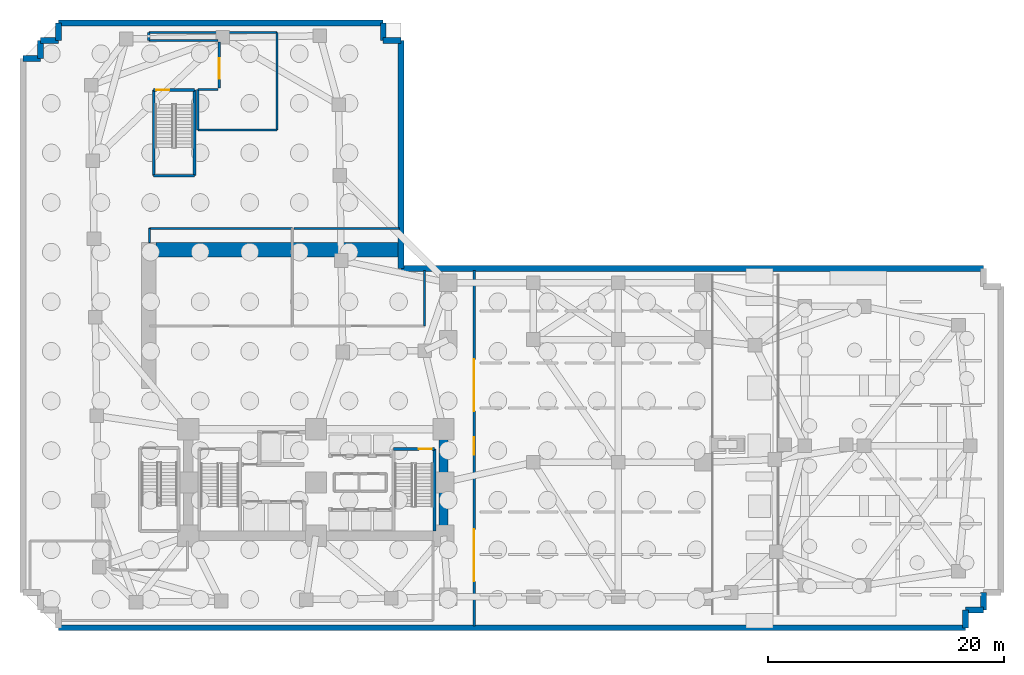
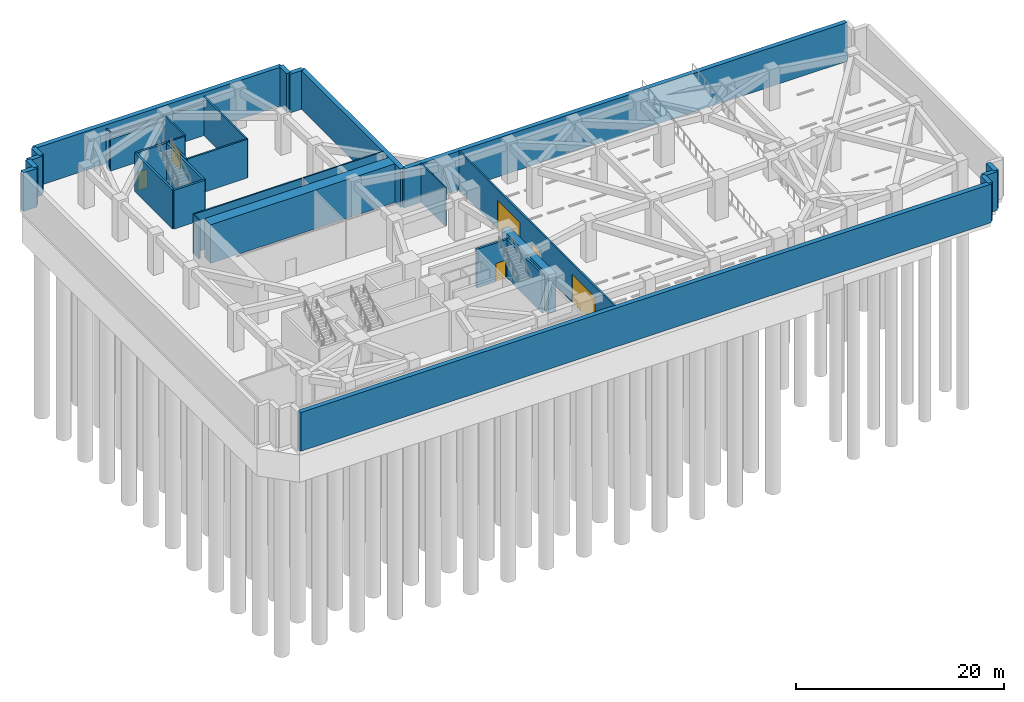
# One storey, part 6 of 11: 34 walls, 6 doors, 6 openings.
"""IFC4 building model written with IfcOpenShell, lengths in metres."""

from ifc_helpers import new_model, si_unit, direction, frame, frame_2d, origin, place, context, subcontext, project, spatial, rectangle, extrude, material, layer, layer_set, type_object, element, fill, save


model = new_model("IFC4")

# Units and contexts
model_context = context("Model", 3, precision=1e-05, world=origin(), true_north=direction((0.0, 1.0)))
body_context = subcontext(model_context, "Body", "Model", "MODEL_VIEW")
ifc_project = project(units=[si_unit("LENGTHUNIT", "METRE"), si_unit("AREAUNIT", "SQUARE_METRE"), si_unit("VOLUMEUNIT", "CUBIC_METRE"), si_unit("PLANEANGLEUNIT", "RADIAN"), si_unit("MASSUNIT", "GRAM", prefix="KILO")], contexts=[model_context])

# Site, building, storey
site_placement = place(None, origin())
site = spatial("IfcSite", under=ifc_project, at=site_placement, CompositionType="ELEMENT")
building_placement = place(site_placement, origin())
building = spatial("IfcBuilding", under=site, at=building_placement, Name="Gaonmaruhae Medical Tower", CompositionType="ELEMENT")
storey_placement = place(building_placement, frame((0.0, 0.0, -9.60009765625)))
storey = spatial("IfcBuildingStorey", under=building, at=storey_placement, Name="B02", CompositionType="ELEMENT", Elevation=-9.60009765625)

# Walls
ifc_material_1 = material(Name="Concrete C60/75", Category="concrete")
ifc_layer_1 = layer(ifc_material_1, 0.800048828125)
ifc_layer_set_1 = layer_set([ifc_layer_1], Name="Concrete C60/75")
wall_type_1 = type_object("IfcWallType", Name="CW-800 Lower Core Shear Wall", PredefinedType="SHEAR", material=ifc_layer_set_1)
wall_1_placement = place(storey_placement, frame((35.60009765625, 7.800048828125, 0.0), z_axis=(0.0, 0.0, 1.0), x_axis=(0.0, 1.0, 0.0)))
element("IfcWall", 1, at=wall_1_placement, inside=storey, type_object=wall_type_1, Name="B02 Core Shear Wall CSW-E1", PredefinedType="SHEAR", context=body_context, shape_type="SweptSolid", body=[
    extrude(rectangle(XDim=9.0, YDim=0.800048828125, at=frame_2d((4.5, 0.0))), origin(), (0.0, 0.0, 1.0), 4.550048828125),
])
ifc_material_2 = material(Name="Gypsum board partition", Category="gypsum")
ifc_layer_2 = layer(ifc_material_2, 0.14990234375)
ifc_layer_set_2 = layer_set([ifc_layer_2], Name="Gypsum board partition")
wall_type_2 = type_object("IfcWallType", Name="PW-150 Rated Clinical Corridor Partition", PredefinedType="PARTITIONING", material=ifc_layer_set_2)
wall_2_placement = place(storey_placement, frame((10.719970703125, 32.60009765625, 0.0), z_axis=(0.0, 0.0, 1.0), x_axis=(0.0, 1.0, 0.0)))
element("IfcWall", 2, at=wall_2_placement, inside=storey, type_object=wall_type_2, Name="B02 Interior Partition B02-VLT1-10", PredefinedType="PARTITIONING", context=body_context, shape_type="SweptSolid", body=[
    extrude(rectangle(XDim=1.199951171875, YDim=0.14990234375, at=frame_2d((0.60009765625, 0.0))), origin(), (0.0, 0.0, 1.0), 4.550048828125),
])
wall_3_placement = place(storey_placement, frame((10.719970703125, 33.800048828125, 0.0), z_axis=(0.0, 0.0, 1.0), x_axis=(1.0, 0.0, 0.0)))
element("IfcWall", 3, at=wall_3_placement, inside=storey, type_object=wall_type_2, Name="B02 Interior Partition B02-VLT1-11", PredefinedType="PARTITIONING", context=body_context, shape_type="SweptSolid", body=[
    extrude(rectangle(XDim=12.080078125, YDim=0.14990234375, at=frame_2d((6.0400390625, 0.0))), origin(), (0.0, 0.0, 1.0), 4.550048828125),
])
wall_4_placement = place(storey_placement, frame((34.0, 30.239990234375, 0.0), z_axis=(0.0, 0.0, 1.0), x_axis=(0.0, -1.0, 0.0)))
element("IfcWall", 4, at=wall_4_placement, inside=storey, type_object=wall_type_2, Name="B02 Interior Partition B02-VLT2-12", PredefinedType="PARTITIONING", context=body_context, shape_type="SweptSolid", body=[
    extrude(rectangle(XDim=4.68994140625, YDim=0.14990234375, at=frame_2d((2.344970703125, 0.0))), origin(), (0.0, 0.0, 1.0), 4.550048828125),
])
wall_5_placement = place(storey_placement, frame((22.949951171875, 33.800048828125, 0.0), z_axis=(0.0, 0.0, 1.0), x_axis=(1.0, 0.0, 0.0)))
element("IfcWall", 5, at=wall_5_placement, inside=storey, type_object=wall_type_2, Name="B02 Interior Partition B02-VLT2-14", PredefinedType="PARTITIONING", context=body_context, shape_type="SweptSolid", body=[
    extrude(rectangle(XDim=8.89013671875, YDim=0.14990234375, at=frame_2d((4.445068359375, 0.0))), origin(), (0.0, 0.0, 1.0), 4.550048828125),
])

# Wall, openings, doors
ifc_layer_3 = layer(ifc_material_2, 0.179931640625)
ifc_layer_set_3 = layer_set([ifc_layer_3], Name="Gypsum board partition")
wall_type_3 = type_object("IfcWallType", Name="PW-180 Refuge & Plant Acoustic Fire Partition", PredefinedType="PARTITIONING", material=ifc_layer_set_3)
wall_6_placement = place(storey_placement, frame((38.199951171875, 0.159912109375, 0.0), z_axis=(0.0, 0.0, 1.0), x_axis=(0.0, 1.0, 0.0)))
wall_6 = element("IfcWall", 6, at=wall_6_placement, inside=storey, type_object=wall_type_3, Name="B02 Car Park Fire Compartment Wall", PredefinedType="PARTITIONING", context=body_context, shape_type="SweptSolid", body=[
    extrude(rectangle(XDim=30.080078125, YDim=0.179931640625, at=frame_2d((15.0400390625, 0.0))), origin(), (0.0, 0.0, 1.0), 4.550048828125),
])
opening_1_placement = place(wall_6_placement, frame((18.169921875, 0.0, 0.0)))
opening_1 = element("IfcOpeningElement", 7, at=opening_1_placement, cuts=wall_6, Name="Opening GT-03", PredefinedType="OPENING", context=body_context, shape_type="SweptSolid", body=[
    extrude(rectangle(XDim=4.39990234375, YDim=3.300048828125, at=frame_2d((2.199951171875, 1.64990234375))), frame((0.0, 0.10009765625, 0.0), z_axis=(0.0, -1.0, 0.0), x_axis=(1.0, 0.0, 0.0)), (0.0, 0.0, 1.0), 0.199951171875),
])
opening_2_placement = place(wall_6_placement, frame((14.469970703125, 0.0, 0.0)))
opening_2 = element("IfcOpeningElement", 8, at=opening_2_placement, cuts=wall_6, Name="Opening FD-03", PredefinedType="OPENING", context=body_context, shape_type="SweptSolid", body=[
    extrude(rectangle(XDim=1.5, YDim=2.199951171875, at=frame_2d((0.75, 1.10009765625))), frame((0.0, 0.10009765625, 0.0), z_axis=(0.0, -1.0, 0.0), x_axis=(1.0, 0.0, 0.0)), (0.0, 0.0, 1.0), 0.199951171875),
])
opening_3_placement = place(wall_6_placement, frame((3.77001953125, 0.0, 0.0)))
opening_3 = element("IfcOpeningElement", 9, at=opening_3_placement, cuts=wall_6, Name="Opening GT-03", PredefinedType="OPENING", context=body_context, shape_type="SweptSolid", body=[
    extrude(rectangle(XDim=4.39990234375, YDim=3.300048828125, at=frame_2d((2.199951171875, 1.64990234375))), frame((0.0, 0.10009765625, 0.0), z_axis=(0.0, -1.0, 0.0), x_axis=(1.0, 0.0, 0.0)), (0.0, 0.0, 1.0), 0.199951171875),
])
ifc_material_3 = material(Name="Powder-coated steel fire door", Category="steel")
door_type_1 = type_object("IfcDoorType", Name="FD-03 Compartment Corridor Double Fire Door 1500x2200", OperationType="NOTDEFINED", PredefinedType="DOOR", material=ifc_material_3)
door_1_placement = place(opening_2_placement, origin())
door_1 = element("IfcDoor", 10, at=door_1_placement, inside=storey, type_object=door_type_1, Name="B02 Car Park Pedestrian Exit Door", OperationType="DOUBLE_DOOR_SINGLE_SWING", OverallHeight=2.199951171875, OverallWidth=1.5, PredefinedType="DOOR", context=body_context, shape_type="SweptSolid", body=[
    extrude(rectangle(XDim=1.5, YDim=2.199951171875, at=frame_2d((0.75, 1.10009765625))), frame((0.0, 0.02490234375, 0.0), z_axis=(0.0, -1.0, 0.0), x_axis=(1.0, 0.0, 0.0)), (0.0, 0.0, 1.0), 0.050048828125),
])
fill(opening_2, door_1)
ifc_material_4 = material(Name="Insulated galvanised steel shutter", Category="steel")
door_type_2 = type_object("IfcDoorType", Name="GT-03 Basement Car Park Fire Shutter Gate 4400x3300", OperationType="NOTDEFINED", PredefinedType="GATE", material=ifc_material_4)
door_2_placement = place(opening_1_placement, origin())
door_2 = element("IfcDoor", 11, at=door_2_placement, inside=storey, type_object=door_type_2, Name="B02 Car Park Fire Compartment Roller Gate", OperationType="ROLLINGUP", OverallHeight=3.300048828125, OverallWidth=4.39990234375, PredefinedType="GATE", context=body_context, shape_type="SweptSolid", body=[
    extrude(rectangle(XDim=4.39990234375, YDim=3.300048828125, at=frame_2d((2.199951171875, 1.64990234375))), frame((0.0, 0.02490234375, 0.0), z_axis=(0.0, -1.0, 0.0), x_axis=(1.0, 0.0, 0.0)), (0.0, 0.0, 1.0), 0.050048828125),
])
fill(opening_1, door_2)
door_3_placement = place(opening_3_placement, origin())
door_3 = element("IfcDoor", 12, at=door_3_placement, inside=storey, type_object=door_type_2, Name="B02 South Car Park Fire Shutter Gate", OperationType="ROLLINGUP", OverallHeight=3.300048828125, OverallWidth=4.39990234375, PredefinedType="GATE", context=body_context, shape_type="SweptSolid", body=[
    extrude(rectangle(XDim=4.39990234375, YDim=3.300048828125, at=frame_2d((2.199951171875, 1.64990234375))), frame((0.0, 0.02490234375, 0.0), z_axis=(0.0, -1.0, 0.0), x_axis=(1.0, 0.0, 0.0)), (0.0, 0.0, 1.0), 0.050048828125),
])
fill(opening_3, door_3)

# Wall, opening, door
wall_7_placement = place(storey_placement, frame((16.6201171875, 45.679931640625, 0.0), z_axis=(0.0, 0.0, 1.0), x_axis=(0.0, 1.0, 0.0)))
wall_7 = element("IfcWall", 13, at=wall_7_placement, inside=storey, type_object=wall_type_3, Name="B02 Interior Partition B02-MGAS-15", PredefinedType="PARTITIONING", context=body_context, shape_type="SweptSolid", body=[
    extrude(rectangle(XDim=3.920166015625, YDim=0.179931640625, at=frame_2d((1.9599609375, 0.0))), origin(), (0.0, 0.0, 1.0), 4.550048828125),
])
opening_4_placement = place(wall_7_placement, frame((0.795166015625, 0.0, 0.0)))
opening_4 = element("IfcOpeningElement", 14, at=opening_4_placement, cuts=wall_7, Name="Opening PD-01", PredefinedType="OPENING", context=body_context, shape_type="SweptSolid", body=[
    extrude(rectangle(XDim=1.75, YDim=2.199951171875, at=frame_2d((0.875, 1.10009765625))), frame((0.0, 0.10009765625, 0.0), z_axis=(0.0, -1.0, 0.0), x_axis=(1.0, 0.0, 0.0)), (0.0, 0.0, 1.0), 0.199951171875),
])
ifc_material_5 = material(Name="Acoustic galvanised steel plant door", Category="steel")
door_type_3 = type_object("IfcDoorType", Name="PD-01 Mechanical Plant Double Equipment Door 1750x2200", OperationType="NOTDEFINED", PredefinedType="DOOR", material=ifc_material_5)
door_4_placement = place(opening_4_placement, origin())
door_4 = element("IfcDoor", 15, at=door_4_placement, inside=storey, type_object=door_type_3, Name="B02 Medical Gas Manifold and Vacuum Plant Room Door", OperationType="DOUBLE_DOOR_SINGLE_SWING", OverallHeight=2.199951171875, OverallWidth=1.75, PredefinedType="DOOR", context=body_context, shape_type="SweptSolid", body=[
    extrude(rectangle(XDim=1.75, YDim=2.199951171875, at=frame_2d((0.875, 1.10009765625))), frame((0.0, 0.02490234375, 0.0), z_axis=(0.0, -1.0, 0.0), x_axis=(1.0, 0.0, 0.0)), (0.0, 0.0, 1.0), 0.050048828125),
])
fill(opening_4, door_4)

# Walls
wall_8_placement = place(storey_placement, frame((16.5, 49.719970703125, 0.0), z_axis=(0.0, 0.0, 1.0), x_axis=(-1.0, 0.0, 0.0)))
element("IfcWall", 16, at=wall_8_placement, inside=storey, type_object=wall_type_3, Name="B02 Interior Partition B02-MGAS-16", PredefinedType="PARTITIONING", context=body_context, shape_type="SweptSolid", body=[
    extrude(rectangle(XDim=5.85009765625, YDim=0.179931640625, at=frame_2d((2.925048828125, 0.0))), origin(), (0.0, 0.0, 1.0), 3.735107421875),
])
wall_9_placement = place(storey_placement, frame((10.64990234375, 49.719970703125, 0.0), z_axis=(0.0, 0.0, 1.0), x_axis=(0.0, 1.0, 0.0)))
element("IfcWall", 17, at=wall_9_placement, inside=storey, type_object=wall_type_3, Name="B02 Interior Partition B02-MGAS-17", PredefinedType="PARTITIONING", context=body_context, shape_type="SweptSolid", body=[
    extrude(rectangle(XDim=0.679931640625, YDim=0.179931640625, at=frame_2d((0.33984375, 0.0))), origin(), (0.0, 0.0, 1.0), 4.550048828125),
])
wall_10_placement = place(storey_placement, frame((10.64990234375, 50.39990234375, 0.0), z_axis=(0.0, 0.0, 1.0), x_axis=(1.0, 0.0, 0.0)))
element("IfcWall", 18, at=wall_10_placement, inside=storey, type_object=wall_type_3, Name="B02 Interior Partition B02-MGAS-18", PredefinedType="PARTITIONING", context=body_context, shape_type="SweptSolid", body=[
    extrude(rectangle(XDim=10.85009765625, YDim=0.179931640625, at=frame_2d((5.425048828125, 0.0))), origin(), (0.0, 0.0, 1.0), 3.735107421875),
])
wall_11_placement = place(storey_placement, frame((21.5, 50.39990234375, 0.0), z_axis=(0.0, 0.0, 1.0), x_axis=(0.0, -1.0, 0.0)))
element("IfcWall", 19, at=wall_11_placement, inside=storey, type_object=wall_type_3, Name="B02 Interior Partition B02-MGAS-19", PredefinedType="PARTITIONING", context=body_context, shape_type="SweptSolid", body=[
    extrude(rectangle(XDim=8.25, YDim=0.179931640625, at=frame_2d((4.125, 0.0))), origin(), (0.0, 0.0, 1.0), 4.550048828125),
])
wall_12_placement = place(storey_placement, frame((21.5, 42.14990234375, 0.0), z_axis=(0.0, 0.0, 1.0), x_axis=(-1.0, 0.0, 0.0)))
element("IfcWall", 20, at=wall_12_placement, inside=storey, type_object=wall_type_3, Name="B02 Interior Partition B02-MGAS-20", PredefinedType="PARTITIONING", context=body_context, shape_type="SweptSolid", body=[
    extrude(rectangle(XDim=6.699951171875, YDim=0.179931640625, at=frame_2d((3.35009765625, 0.0))), origin(), (0.0, 0.0, 1.0), 4.550048828125),
])
wall_13_placement = place(storey_placement, frame((14.800048828125, 42.14990234375, 0.0), z_axis=(0.0, 0.0, 1.0), x_axis=(0.0, 1.0, 0.0)))
element("IfcWall", 21, at=wall_13_placement, inside=storey, type_object=wall_type_3, Name="B02 Interior Partition B02-MGAS-21", PredefinedType="PARTITIONING", context=body_context, shape_type="SweptSolid", body=[
    extrude(rectangle(XDim=3.41015625, YDim=0.179931640625, at=frame_2d((1.705078125, 0.0))), origin(), (0.0, 0.0, 1.0), 4.550048828125),
])
wall_14_placement = place(storey_placement, frame((14.800048828125, 45.56005859375, 0.0), z_axis=(0.0, 0.0, 1.0), x_axis=(1.0, 0.0, 0.0)))
element("IfcWall", 22, at=wall_14_placement, inside=storey, type_object=wall_type_3, Name="B02 Interior Partition B02-MGAS-22", PredefinedType="PARTITIONING", context=body_context, shape_type="SweptSolid", body=[
    extrude(rectangle(XDim=1.699951171875, YDim=0.179931640625, at=frame_2d((0.85009765625, 0.0))), origin(), (0.0, 0.0, 1.0), 4.550048828125),
])
ifc_material_6 = material(Name="Concrete C50/60", Category="concrete")
ifc_layer_4 = layer(ifc_material_6, 0.5)
ifc_layer_set_4 = layer_set([ifc_layer_4], Name="Concrete C50/60")
wall_type_4 = type_object("IfcWallType", Name="RW-500 Basement Perimeter Retaining Wall", PredefinedType="USERDEFINED", material=ifc_layer_set_4)
wall_15_placement = place(storey_placement, frame((79.800048828125, 0.0, 0.0), z_axis=(0.0, 0.0, 1.0), x_axis=(-1.0, 0.0, 0.0)))
element("IfcWall", 23, at=wall_15_placement, inside=storey, type_object=wall_type_4, Name="B02 Perimeter Retaining Wall RW01", ObjectType="RETAININGWALL", PredefinedType="USERDEFINED", context=body_context, shape_type="SweptSolid", body=[
    extrude(rectangle(XDim=76.800048828125, YDim=0.5, at=frame_2d((38.39990234375, 0.0))), origin(), (0.0, 0.0, 1.0), 4.550048828125),
])
for number, where, z_axis, x_axis, name in (
    (24, (79.800048828125, 1.5, 0.0), (0.0, 0.0, 1.0), (0.0, -1.0, 0.0), "B02 Perimeter Retaining Wall RW02"),
    (25, (81.300048828125, 1.5, 0.0), (0.0, 0.0, 1.0), (-1.0, 0.0, 0.0), "B02 Perimeter Retaining Wall RW03"),
    (26, (81.300048828125, 3.0, 0.0), (0.0, 0.0, 1.0), (0.0, -1.0, 0.0), "B02 Perimeter Retaining Wall RW04"),
):
    element("IfcWall", number, at=place(storey_placement, frame(where, z_axis=z_axis, x_axis=x_axis)), inside=storey, type_object=wall_type_4, Name=name, ObjectType="RETAININGWALL", PredefinedType="USERDEFINED", context=body_context, shape_type="SweptSolid", body=[
        extrude(rectangle(XDim=1.5, YDim=0.5, at=frame_2d((0.75, 0.0))), origin(), (0.0, 0.0, 1.0), 4.550048828125),
    ])
wall_16_placement = place(storey_placement, frame((32.0, 30.39990234375, 0.0), z_axis=(0.0, 0.0, 1.0), x_axis=(1.0, 0.0, 0.0)))
element("IfcWall", 27, at=wall_16_placement, inside=storey, type_object=wall_type_4, Name="B02 Perimeter Retaining Wall RW09", ObjectType="RETAININGWALL", PredefinedType="USERDEFINED", context=body_context, shape_type="SweptSolid", body=[
    extrude(rectangle(XDim=49.300048828125, YDim=0.5, at=frame_2d((24.64990234375, 0.0))), origin(), (0.0, 0.0, 1.0), 4.550048828125),
])
wall_17_placement = place(storey_placement, frame((32.0, 30.39990234375, 0.0), z_axis=(0.0, 0.0, 1.0), x_axis=(0.0, 1.0, 0.0)))
element("IfcWall", 28, at=wall_17_placement, inside=storey, type_object=wall_type_4, Name="B02 Perimeter Retaining Wall RW10", ObjectType="RETAININGWALL", PredefinedType="USERDEFINED", context=body_context, shape_type="SweptSolid", body=[
    extrude(rectangle(XDim=19.300048828125, YDim=0.5, at=frame_2d((9.64990234375, 0.0))), origin(), (0.0, 0.0, 1.0), 4.550048828125),
])
for number, where, z_axis, x_axis, name in (
    (29, (30.5, 49.699951171875, 0.0), (0.0, 0.0, 1.0), (1.0, 0.0, 0.0), "B02 Perimeter Retaining Wall RW11"),
    (30, (30.5, 49.699951171875, 0.0), (0.0, 0.0, 1.0), (0.0, 1.0, 0.0), "B02 Perimeter Retaining Wall RW12"),
):
    element("IfcWall", number, at=place(storey_placement, frame(where, z_axis=z_axis, x_axis=x_axis)), inside=storey, type_object=wall_type_4, Name=name, ObjectType="RETAININGWALL", PredefinedType="USERDEFINED", context=body_context, shape_type="SweptSolid", body=[
        extrude(rectangle(XDim=1.5, YDim=0.5, at=frame_2d((0.75, 0.0))), origin(), (0.0, 0.0, 1.0), 4.550048828125),
    ])
wall_18_placement = place(storey_placement, frame((3.0, 51.199951171875, 0.0), z_axis=(0.0, 0.0, 1.0), x_axis=(1.0, 0.0, 0.0)))
element("IfcWall", 31, at=wall_18_placement, inside=storey, type_object=wall_type_4, Name="B02 Perimeter Retaining Wall RW13", ObjectType="RETAININGWALL", PredefinedType="USERDEFINED", context=body_context, shape_type="SweptSolid", body=[
    extrude(rectangle(XDim=27.5, YDim=0.5, at=frame_2d((13.75, 0.0))), origin(), (0.0, 0.0, 1.0), 4.550048828125),
])
for number, where, z_axis, x_axis, name in (
    (32, (3.0, 49.699951171875, 0.0), (0.0, 0.0, 1.0), (0.0, 1.0, 0.0), "B02 Perimeter Retaining Wall RW14"),
    (33, (1.5, 49.699951171875, 0.0), (0.0, 0.0, 1.0), (1.0, 0.0, 0.0), "B02 Perimeter Retaining Wall RW15"),
    (34, (1.5, 48.199951171875, 0.0), (0.0, 0.0, 1.0), (0.0, 1.0, 0.0), "B02 Perimeter Retaining Wall RW16"),
    (35, (0.0, 48.199951171875, 0.0), (0.0, 0.0, 1.0), (1.0, 0.0, 0.0), "B02 Perimeter Retaining Wall RW17"),
):
    element("IfcWall", number, at=place(storey_placement, frame(where, z_axis=z_axis, x_axis=x_axis)), inside=storey, type_object=wall_type_4, Name=name, ObjectType="RETAININGWALL", PredefinedType="USERDEFINED", context=body_context, shape_type="SweptSolid", body=[
        extrude(rectangle(XDim=1.5, YDim=0.5, at=frame_2d((0.75, 0.0))), origin(), (0.0, 0.0, 1.0), 4.550048828125),
    ])

# Wall, opening, door
ifc_layer_5 = layer(ifc_material_6, 0.239990234375)
ifc_layer_set_5 = layer_set([ifc_layer_5], Name="Concrete C50/60")
wall_type_5 = type_object("IfcWallType", Name="SW-240 Dogleg Stair Tight Shaft Wall", PredefinedType="SOLIDWALL", material=ifc_layer_set_5)
wall_19_placement = place(storey_placement, frame((31.3701171875, 15.1201171875, 0.0), z_axis=(0.0, 0.0, 1.0), x_axis=(1.0, 0.0, 0.0)))
wall_19 = element("IfcWall", 36, at=wall_19_placement, inside=storey, type_object=wall_type_5, Name="B02 ST-02 Stair Shaft Wall SHW-ST-02-N", PredefinedType="SOLIDWALL", context=body_context, shape_type="SweptSolid", body=[
    extrude(rectangle(XDim=3.4599609375, YDim=0.239990234375, at=frame_2d((1.72998046875, 0.0))), origin(), (0.0, 0.0, 1.0), 4.550048828125),
])
opening_5_placement = place(wall_19_placement, frame((2.139892578125, 0.0, 0.0)))
opening_5 = element("IfcOpeningElement", 37, at=opening_5_placement, cuts=wall_19, Name="Opening FD-01", PredefinedType="OPENING", context=body_context, shape_type="SweptSolid", body=[
    extrude(rectangle(XDim=1.10009765625, YDim=2.14990234375, at=frame_2d((0.550048828125, 1.074951171875))), frame((0.0, 0.1298828125, 0.0), z_axis=(0.0, -1.0, 0.0), x_axis=(1.0, 0.0, 0.0)), (0.0, 0.0, 1.0), 0.260009765625),
])
door_type_4 = type_object("IfcDoorType", Name="FD-01 Escape Stair Protected Fire Door 1100x2150", OperationType="NOTDEFINED", PredefinedType="DOOR", material=ifc_material_3)
door_5_placement = place(opening_5_placement, origin())
door_5 = element("IfcDoor", 38, at=door_5_placement, inside=storey, type_object=door_type_4, Name="B02 ST-02 Protected Escape Stair Door", OperationType="SINGLE_SWING_LEFT", OverallHeight=2.14990234375, OverallWidth=1.10009765625, PredefinedType="DOOR", context=body_context, shape_type="SweptSolid", body=[
    extrude(rectangle(XDim=1.10009765625, YDim=2.14990234375, at=frame_2d((0.550048828125, 1.074951171875))), frame((0.0, 0.02490234375, 0.0), z_axis=(0.0, -1.0, 0.0), x_axis=(1.0, 0.0, 0.0)), (0.0, 0.0, 1.0), 0.050048828125),
])
fill(opening_5, door_5)

# Wall
wall_20_placement = place(storey_placement, frame((34.830078125, 15.1201171875, 0.0), z_axis=(0.0, 0.0, 1.0), x_axis=(0.0, -1.0, 0.0)))
element("IfcWall", 39, at=wall_20_placement, inside=storey, type_object=wall_type_5, Name="B02 ST-02 Stair Shaft Wall SHW-ST-02-E", PredefinedType="SOLIDWALL", context=body_context, shape_type="SweptSolid", body=[
    extrude(rectangle(XDim=6.920166015625, YDim=0.239990234375, at=frame_2d((3.4599609375, 0.0))), origin(), (0.0, 0.0, 1.0), 4.550048828125),
])

# Wall, opening, door
wall_21_placement = place(storey_placement, frame((11.070068359375, 45.52001953125, 0.0), z_axis=(0.0, 0.0, 1.0), x_axis=(1.0, 0.0, 0.0)))
wall_21 = element("IfcWall", 40, at=wall_21_placement, inside=storey, type_object=wall_type_5, Name="B02 ST-05 Stair Shaft Wall SHW-ST-05-N", PredefinedType="SOLIDWALL", context=body_context, shape_type="SweptSolid", body=[
    extrude(rectangle(XDim=3.4599609375, YDim=0.239990234375, at=frame_2d((1.72998046875, 0.0))), origin(), (0.0, 0.0, 1.0), 4.550048828125),
])
opening_6_placement = place(wall_21_placement, frame((0.219970703125, 0.0, 0.0)))
opening_6 = element("IfcOpeningElement", 41, at=opening_6_placement, cuts=wall_21, Name="Opening FD-01", PredefinedType="OPENING", context=body_context, shape_type="SweptSolid", body=[
    extrude(rectangle(XDim=1.10009765625, YDim=2.14990234375, at=frame_2d((0.550048828125, 1.074951171875))), frame((0.0, 0.1298828125, 0.0), z_axis=(0.0, -1.0, 0.0), x_axis=(1.0, 0.0, 0.0)), (0.0, 0.0, 1.0), 0.260009765625),
])
door_6_placement = place(opening_6_placement, origin())
door_6 = element("IfcDoor", 42, at=door_6_placement, inside=storey, type_object=door_type_4, Name="B02 ST-05 Protected Escape Stair Door", OperationType="SINGLE_SWING_LEFT", OverallHeight=2.14990234375, OverallWidth=1.10009765625, PredefinedType="DOOR", context=body_context, shape_type="SweptSolid", body=[
    extrude(rectangle(XDim=1.10009765625, YDim=2.14990234375, at=frame_2d((0.550048828125, 1.074951171875))), frame((0.0, 0.02490234375, 0.0), z_axis=(0.0, -1.0, 0.0), x_axis=(1.0, 0.0, 0.0)), (0.0, 0.0, 1.0), 0.050048828125),
])
fill(opening_6, door_6)

# Walls
wall_22_placement = place(storey_placement, frame((14.530029296875, 45.52001953125, 0.0), z_axis=(0.0, 0.0, 1.0), x_axis=(0.0, -1.0, 0.0)))
element("IfcWall", 43, at=wall_22_placement, inside=storey, type_object=wall_type_5, Name="B02 ST-05 Stair Shaft Wall SHW-ST-05-E", PredefinedType="SOLIDWALL", context=body_context, shape_type="SweptSolid", body=[
    extrude(rectangle(XDim=7.25, YDim=0.239990234375, at=frame_2d((3.625, 0.0))), origin(), (0.0, 0.0, 1.0), 4.550048828125),
])
wall_23_placement = place(storey_placement, frame((14.530029296875, 38.27001953125, 0.0), z_axis=(0.0, 0.0, 1.0), x_axis=(-1.0, 0.0, 0.0)))
element("IfcWall", 44, at=wall_23_placement, inside=storey, type_object=wall_type_5, Name="B02 ST-05 Stair Shaft Wall SHW-ST-05-S", PredefinedType="SOLIDWALL", context=body_context, shape_type="SweptSolid", body=[
    extrude(rectangle(XDim=3.4599609375, YDim=0.239990234375, at=frame_2d((1.72998046875, 0.0))), origin(), (0.0, 0.0, 1.0), 4.550048828125),
])
wall_24_placement = place(storey_placement, frame((11.070068359375, 38.27001953125, 0.0), z_axis=(0.0, 0.0, 1.0), x_axis=(0.0, 1.0, 0.0)))
element("IfcWall", 45, at=wall_24_placement, inside=storey, type_object=wall_type_5, Name="B02 ST-05 Stair Shaft Wall SHW-ST-05-W", PredefinedType="SOLIDWALL", context=body_context, shape_type="SweptSolid", body=[
    extrude(rectangle(XDim=7.25, YDim=0.239990234375, at=frame_2d((3.625, 0.0))), origin(), (0.0, 0.0, 1.0), 4.550048828125),
])
ifc_layer_6 = layer(ifc_material_6, 1.199951171875)
ifc_layer_set_6 = layer_set([ifc_layer_6], Name="Concrete C50/60")
wall_type_6 = type_object("IfcWallType", Name="VW-1200 Radiation Oncology Shielding Vault Wall", PredefinedType="SOLIDWALL", material=ifc_layer_set_6)
wall_25_placement = place(storey_placement, frame((11.25, 32.0, 0.0), z_axis=(0.0, 0.0, 1.0), x_axis=(1.0, 0.0, 0.0)))
element("IfcWall", 46, at=wall_25_placement, inside=storey, type_object=wall_type_6, Name="B02 Radiation Shielding Vault Wall 2", PredefinedType="SOLIDWALL", context=body_context, shape_type="SweptSolid", body=[
    extrude(rectangle(XDim=20.5, YDim=1.199951171875, at=frame_2d((10.25, 0.0))), origin(), (0.0, 0.0, 1.0), 4.550048828125),
])

save(model, "model.ifc")
